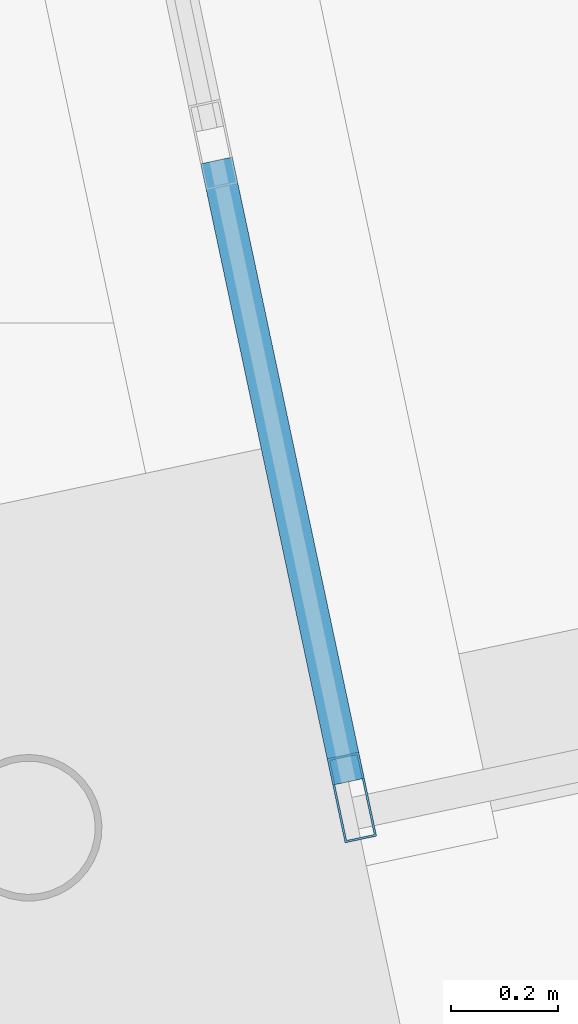
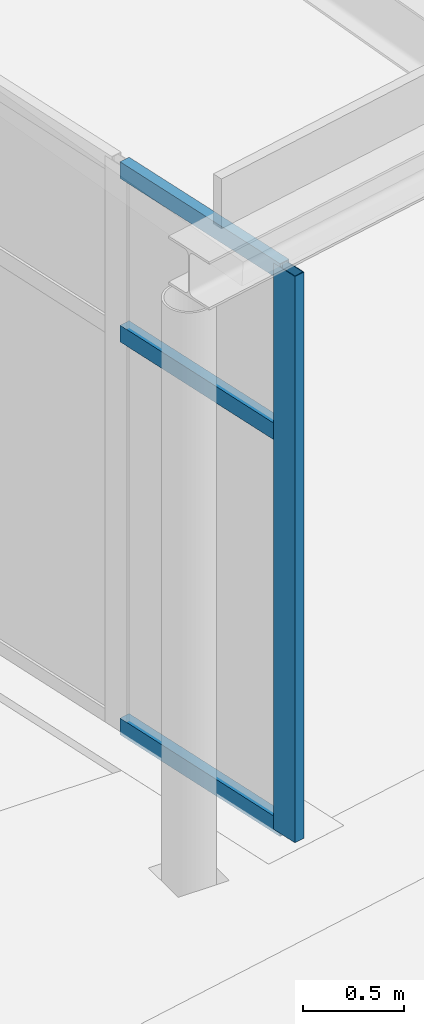
# One storey, part 51 of 239: 4 members, 1 element without a shape of its own.
"""IFC4 building model written with IfcOpenShell, lengths in metres."""

from ifc_helpers import new_model, si_unit, direction, frame, origin, origin_2d, place, context, subcontext, project, spatial, hollow_rectangle, extrude, material, material_profile, profile_set, type_object, element, aggregate, save


model = new_model("IFC4")

# Units and contexts
model_context = context("Model", 3, precision=1e-05, world=origin(), true_north=direction((0.0, 1.0)))
body_context = subcontext(model_context, "Body", "Model", "MODEL_VIEW")
ifc_project = project(units=[si_unit("LENGTHUNIT", "METRE"), si_unit("AREAUNIT", "SQUARE_METRE"), si_unit("VOLUMEUNIT", "CUBIC_METRE"), si_unit("PLANEANGLEUNIT", "RADIAN"), si_unit("MASSUNIT", "GRAM", prefix="KILO")], contexts=[model_context])

# Site, building, storey
site_placement = place(None, origin())
site = spatial("IfcSite", under=ifc_project, at=site_placement, CompositionType="ELEMENT")
building_placement = place(site_placement, origin())
building = spatial("IfcBuilding", under=site, at=building_placement, Name="Okhra Congress Centre", CompositionType="ELEMENT")
storey_placement = place(building_placement, origin())
storey = spatial("IfcBuildingStorey", under=building, at=storey_placement, Name="L00", CompositionType="ELEMENT", Elevation=0.0)

# Curtain wall, members
ifc_material_1 = material(Name="Aluminium curtain wall, triple glazing", Category="aluminium")
curtain_wall_type = type_object("IfcCurtainWallType", Name="Curtain wall 1200 module", PredefinedType="NOTDEFINED", material=ifc_material_1)
curtain_wall_placement = place(storey_placement, origin())
curtain_wall = element("IfcCurtainWall", 1, at=curtain_wall_placement, inside=storey, type_object=curtain_wall_type, Name="Porch glazed side 1", PredefinedType="NOTDEFINED")
ifc_material_2 = material(Name="Aluminium alloy EN AW-6063 T66", Category="aluminium")
ifc_material_profile_1 = material_profile(ifc_material_2, hollow_rectangle(XDim=0.06005859375, YDim=0.159912109375, WallThickness=0.00390625, at=origin_2d()), Name="RHS 60x160x4")
ifc_profile_set_1 = profile_set([ifc_material_profile_1], Name="Aluminium alloy EN AW-6063 T66")
member_type_1 = type_object("IfcMemberType", Name="Curtain wall mullion 60x160", PredefinedType="MULLION", material=ifc_profile_set_1)
member_1_placement = place(storey_placement, frame((124.691162109375, 33.116943359375, 0.0), z_axis=(0.0, 0.0, 1.0), x_axis=(-0.978147600734, -0.207911690818, 0.0)))
member_1 = element("IfcMember", 2, at=member_1_placement, type_object=member_type_1, Name="CW8 mullion 1", PredefinedType="MULLION", context=body_context, shape_type="SweptSolid", body=[
    extrude(hollow_rectangle(XDim=0.06005859375, YDim=0.159912109375, WallThickness=0.00390625, at=origin_2d()), origin(), (0.0, 0.0, 1.0), 3.415771484375),
])
ifc_material_profile_2 = material_profile(ifc_material_2, hollow_rectangle(XDim=0.06005859375, YDim=0.10009765625, WallThickness=0.00390625, at=origin_2d()), Name="RHS 60x100x4")
ifc_profile_set_2 = profile_set([ifc_material_profile_2], Name="Aluminium alloy EN AW-6063 T66")
member_type_2 = type_object("IfcMemberType", Name="Curtain wall transom 60x100", PredefinedType="USERDEFINED", material=ifc_profile_set_2)
member_2_placement = place(storey_placement, frame((124.684814453125, 33.146240234375, 0.030029296875), z_axis=(-0.207821695028, 0.978166725602, 0.0), x_axis=(-0.978166725602, -0.207821695028, 0.0)))
member_2 = element("IfcMember", 3, at=member_2_placement, type_object=member_type_2, Name="CW8 transom 1.1", ObjectType="TRANSOM", PredefinedType="USERDEFINED", context=body_context, shape_type="SweptSolid", body=[
    extrude(hollow_rectangle(XDim=0.06005859375, YDim=0.10009765625, WallThickness=0.00390625, at=origin_2d()), origin(), (0.0, 0.0, 1.0), 1.181884765625),
])
member_3_placement = place(storey_placement, frame((124.684814453125, 33.146240234375, 2.39990234375), z_axis=(-0.207821695028, 0.978166725602, 0.0), x_axis=(-0.978166725602, -0.207821695028, 0.0)))
member_3 = element("IfcMember", 4, at=member_3_placement, type_object=member_type_2, Name="CW8 transom 1.2", ObjectType="TRANSOM", PredefinedType="USERDEFINED", context=body_context, shape_type="SweptSolid", body=[
    extrude(hollow_rectangle(XDim=0.06005859375, YDim=0.10009765625, WallThickness=0.00390625, at=origin_2d()), origin(), (0.0, 0.0, 1.0), 1.181884765625),
])
member_4_placement = place(storey_placement, frame((124.684814453125, 33.146240234375, 3.3857421875), z_axis=(-0.207821695028, 0.978166725602, 0.0), x_axis=(-0.978166725602, -0.207821695028, 0.0)))
member_4 = element("IfcMember", 5, at=member_4_placement, type_object=member_type_2, Name="CW8 transom 1.3", ObjectType="TRANSOM", PredefinedType="USERDEFINED", context=body_context, shape_type="SweptSolid", body=[
    extrude(hollow_rectangle(XDim=0.06005859375, YDim=0.10009765625, WallThickness=0.00390625, at=origin_2d()), origin(), (0.0, 0.0, 1.0), 1.181884765625),
])
aggregate(curtain_wall, [member_1, member_2, member_3, member_4])

save(model, "model.ifc")
